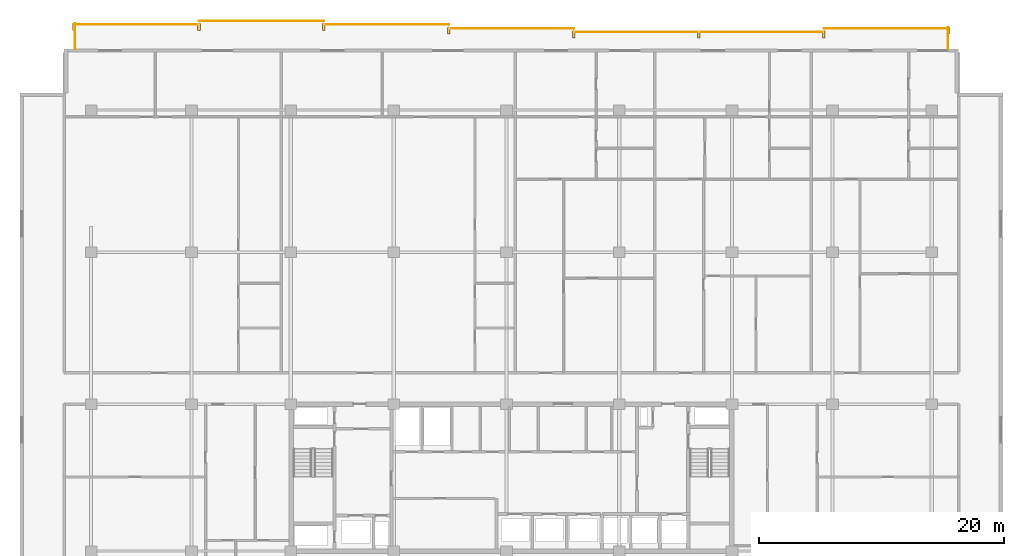
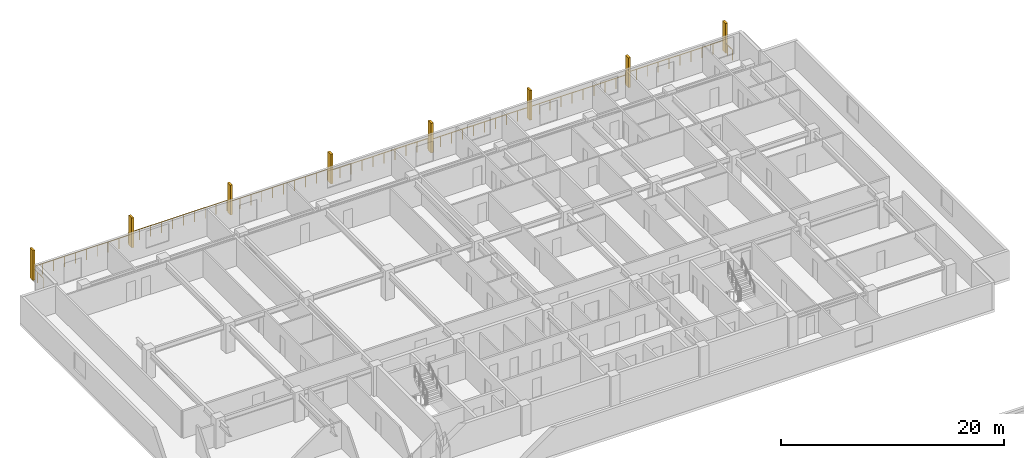
# One storey, part 22 of 22: 8 railings, 8 shading devices.
"""IFC4 building model written with IfcOpenShell, lengths in metres."""

from ifc_helpers import new_model, si_unit, direction, frame, origin, origin_2d, place, context, subcontext, project, spatial, rectangle, circle, extrude, material, type_object, element, save


model = new_model("IFC4")

# Units and contexts
model_context = context("Model", 3, precision=1e-05, world=origin(), true_north=direction((0.0, 1.0)))
body_context = subcontext(model_context, "Body", "Model", "MODEL_VIEW")
ifc_project = project(units=[si_unit("LENGTHUNIT", "METRE"), si_unit("AREAUNIT", "SQUARE_METRE"), si_unit("VOLUMEUNIT", "CUBIC_METRE"), si_unit("PLANEANGLEUNIT", "RADIAN"), si_unit("MASSUNIT", "GRAM", prefix="KILO")], contexts=[model_context])

# Site, building, storey
site_placement = place(None, origin())
site = spatial("IfcSite", under=ifc_project, at=site_placement, CompositionType="ELEMENT")
building_placement = place(site_placement, origin())
building = spatial("IfcBuilding", under=site, at=building_placement, Name="Korimba Cascade Residences", CompositionType="ELEMENT")
storey_placement = place(building_placement, frame((0.0, 0.0, 110.050048828125)))
storey = spatial("IfcBuildingStorey", under=building, at=storey_placement, Name="L31", CompositionType="ELEMENT", Elevation=110.050048828125)

# Railings
ifc_material_1 = material(Name="Laminated Glass and Bronze Balustrade", Category="glass")
railing_type = type_object("IfcRailingType", Name="RLG-LOG-1150", PredefinedType="BALUSTRADE", material=ifc_material_1)
railing_1_placement = place(storey_placement, frame((129.719970703125, 96.199951171875, 0.0)))
element("IfcRailing", 1, at=railing_1_placement, inside=storey, type_object=railing_type, Name="L31 Perimeter Guardrail RLG-L31-T1-LOG-01", PredefinedType="BALUSTRADE", context=body_context, shape_type="SweptSolid", body=[
    extrude(circle(Radius=0.02392578125, at=origin_2d()), frame((0.0, 0.0, 1.1259765625), z_axis=(0.0, 1.0, 0.0), x_axis=(-1.0, 0.0, 0.0)), (0.0, 0.0, 1.0), 1.75),
    extrude(circle(Radius=0.02099609375, at=origin_2d()), origin(), (0.0, 0.0, 1.0), 1.101806640625),
    extrude(circle(Radius=0.02099609375, at=origin_2d()), frame((0.0, 0.875, 0.0)), (0.0, 0.0, 1.0), 1.101806640625),
    extrude(circle(Radius=0.02099609375, at=origin_2d()), frame((0.0, 1.75, 0.0)), (0.0, 0.0, 1.0), 1.101806640625),
])
railing_2_placement = place(storey_placement, frame((129.800048828125, 97.8701171875, 0.0)))
element("IfcRailing", 2, at=railing_2_placement, inside=storey, type_object=railing_type, Name="L31 Perimeter Guardrail RLG-L31-T1-LOG-02", PredefinedType="BALUSTRADE", context=body_context, shape_type="SweptSolid", body=[
    extrude(circle(Radius=0.02392578125, at=origin_2d()), frame((0.0, 0.0, 1.1259765625), z_axis=(-1.0, 0.0, 0.0), x_axis=(0.0, -1.0, 0.0)), (0.0, 0.0, 1.0), 10.199951171875),
    extrude(circle(Radius=0.02099609375, at=origin_2d()), origin(), (0.0, 0.0, 1.0), 1.101806640625),
    extrude(circle(Radius=0.02099609375, at=origin_2d()), frame((-1.13330078125, 0.0, 0.0)), (0.0, 0.0, 1.0), 1.101806640625),
    extrude(circle(Radius=0.02099609375, at=origin_2d()), frame((-2.2666015625, 0.0, 0.0)), (0.0, 0.0, 1.0), 1.101806640625),
    extrude(circle(Radius=0.02099609375, at=origin_2d()), frame((-3.39990234375, 0.0, 0.0)), (0.0, 0.0, 1.0), 1.101806640625),
    extrude(circle(Radius=0.02099609375, at=origin_2d()), frame((-4.533203125, 0.0, 0.0)), (0.0, 0.0, 1.0), 1.101806640625),
    extrude(circle(Radius=0.02099609375, at=origin_2d()), frame((-5.666748046875, 0.0, 0.0)), (0.0, 0.0, 1.0), 1.101806640625),
    extrude(circle(Radius=0.02099609375, at=origin_2d()), frame((-6.800048828125, 0.0, 0.0)), (0.0, 0.0, 1.0), 1.101806640625),
    extrude(circle(Radius=0.02099609375, at=origin_2d()), frame((-7.933349609375, 0.0, 0.0)), (0.0, 0.0, 1.0), 1.101806640625),
    extrude(circle(Radius=0.02099609375, at=origin_2d()), frame((-9.066650390625, 0.0, 0.0)), (0.0, 0.0, 1.0), 1.101806640625),
    extrude(circle(Radius=0.02099609375, at=origin_2d()), frame((-10.199951171875, 0.0, 0.0)), (0.0, 0.0, 1.0), 1.101806640625),
])
railing_3_placement = place(storey_placement, frame((119.60009765625, 97.570068359375, 0.0)))
element("IfcRailing", 3, at=railing_3_placement, inside=storey, type_object=railing_type, Name="L31 Perimeter Guardrail RLG-L31-T1-LOG-03", PredefinedType="BALUSTRADE", context=body_context, shape_type="SweptSolid", body=[
    extrude(circle(Radius=0.02392578125, at=origin_2d()), frame((0.0, 0.0, 1.1259765625), z_axis=(-1.0, 0.0, 0.0), x_axis=(0.0, -1.0, 0.0)), (0.0, 0.0, 1.0), 20.400146484375),
    extrude(circle(Radius=0.02099609375, at=origin_2d()), origin(), (0.0, 0.0, 1.0), 1.101806640625),
    extrude(circle(Radius=0.02099609375, at=origin_2d()), frame((-1.13330078125, 0.0, 0.0)), (0.0, 0.0, 1.0), 1.101806640625),
    extrude(circle(Radius=0.02099609375, at=origin_2d()), frame((-2.2666015625, 0.0, 0.0)), (0.0, 0.0, 1.0), 1.101806640625),
    extrude(circle(Radius=0.02099609375, at=origin_2d()), frame((-3.39990234375, 0.0, 0.0)), (0.0, 0.0, 1.0), 1.101806640625),
    extrude(circle(Radius=0.02099609375, at=origin_2d()), frame((-4.533447265625, 0.0, 0.0)), (0.0, 0.0, 1.0), 1.101806640625),
    extrude(circle(Radius=0.02099609375, at=origin_2d()), frame((-5.666748046875, 0.0, 0.0)), (0.0, 0.0, 1.0), 1.101806640625),
    extrude(circle(Radius=0.02099609375, at=origin_2d()), frame((-6.800048828125, 0.0, 0.0)), (0.0, 0.0, 1.0), 1.101806640625),
    extrude(circle(Radius=0.02099609375, at=origin_2d()), frame((-7.933349609375, 0.0, 0.0)), (0.0, 0.0, 1.0), 1.101806640625),
    extrude(circle(Radius=0.02099609375, at=origin_2d()), frame((-9.066650390625, 0.0, 0.0)), (0.0, 0.0, 1.0), 1.101806640625),
    extrude(circle(Radius=0.02099609375, at=origin_2d()), frame((-10.2001953125, 0.0, 0.0)), (0.0, 0.0, 1.0), 1.101806640625),
    extrude(circle(Radius=0.02099609375, at=origin_2d()), frame((-11.33349609375, 0.0, 0.0)), (0.0, 0.0, 1.0), 1.101806640625),
    extrude(circle(Radius=0.02099609375, at=origin_2d()), frame((-12.466796875, 0.0, 0.0)), (0.0, 0.0, 1.0), 1.101806640625),
    extrude(circle(Radius=0.02099609375, at=origin_2d()), frame((-13.60009765625, 0.0, 0.0)), (0.0, 0.0, 1.0), 1.101806640625),
    extrude(circle(Radius=0.02099609375, at=origin_2d()), frame((-14.7333984375, 0.0, 0.0)), (0.0, 0.0, 1.0), 1.101806640625),
    extrude(circle(Radius=0.02099609375, at=origin_2d()), frame((-15.86669921875, 0.0, 0.0)), (0.0, 0.0, 1.0), 1.101806640625),
    extrude(circle(Radius=0.02099609375, at=origin_2d()), frame((-17.0, 0.0, 0.0)), (0.0, 0.0, 1.0), 1.101806640625),
    extrude(circle(Radius=0.02099609375, at=origin_2d()), frame((-18.133544921875, 0.0, 0.0)), (0.0, 0.0, 1.0), 1.101806640625),
    extrude(circle(Radius=0.02099609375, at=origin_2d()), frame((-19.266845703125, 0.0, 0.0)), (0.0, 0.0, 1.0), 1.101806640625),
    extrude(circle(Radius=0.02099609375, at=origin_2d()), frame((-20.400146484375, 0.0, 0.0)), (0.0, 0.0, 1.0), 1.101806640625),
])
for number, where, name in (
    (4, (99.199951171875, 97.8701171875, 0.0), "L31 Perimeter Guardrail RLG-L31-T1-LOG-04"),
    (5, (89.0, 98.169921875, 0.0), "L31 Perimeter Guardrail RLG-L31-T1-LOG-05"),
    (6, (78.800048828125, 98.469970703125, 0.0), "L31 Perimeter Guardrail RLG-L31-T1-LOG-06"),
):
    element("IfcRailing", number, at=place(storey_placement, frame(where)), inside=storey, type_object=railing_type, Name=name, PredefinedType="BALUSTRADE", context=body_context, shape_type="SweptSolid", body=[
        extrude(circle(Radius=0.02392578125, at=origin_2d()), frame((0.0, 0.0, 1.1259765625), z_axis=(-1.0, 0.0, 0.0), x_axis=(0.0, -1.0, 0.0)), (0.0, 0.0, 1.0), 10.199951171875),
        extrude(circle(Radius=0.02099609375, at=origin_2d()), origin(), (0.0, 0.0, 1.0), 1.101806640625),
        extrude(circle(Radius=0.02099609375, at=origin_2d()), frame((-1.13330078125, 0.0, 0.0)), (0.0, 0.0, 1.0), 1.101806640625),
        extrude(circle(Radius=0.02099609375, at=origin_2d()), frame((-2.2666015625, 0.0, 0.0)), (0.0, 0.0, 1.0), 1.101806640625),
        extrude(circle(Radius=0.02099609375, at=origin_2d()), frame((-3.39990234375, 0.0, 0.0)), (0.0, 0.0, 1.0), 1.101806640625),
        extrude(circle(Radius=0.02099609375, at=origin_2d()), frame((-4.533203125, 0.0, 0.0)), (0.0, 0.0, 1.0), 1.101806640625),
        extrude(circle(Radius=0.02099609375, at=origin_2d()), frame((-5.666748046875, 0.0, 0.0)), (0.0, 0.0, 1.0), 1.101806640625),
        extrude(circle(Radius=0.02099609375, at=origin_2d()), frame((-6.800048828125, 0.0, 0.0)), (0.0, 0.0, 1.0), 1.101806640625),
        extrude(circle(Radius=0.02099609375, at=origin_2d()), frame((-7.933349609375, 0.0, 0.0)), (0.0, 0.0, 1.0), 1.101806640625),
        extrude(circle(Radius=0.02099609375, at=origin_2d()), frame((-9.066650390625, 0.0, 0.0)), (0.0, 0.0, 1.0), 1.101806640625),
        extrude(circle(Radius=0.02099609375, at=origin_2d()), frame((-10.199951171875, 0.0, 0.0)), (0.0, 0.0, 1.0), 1.101806640625),
    ])
railing_4_placement = place(storey_placement, frame((68.60009765625, 98.169921875, 0.0)))
element("IfcRailing", 7, at=railing_4_placement, inside=storey, type_object=railing_type, Name="L31 Perimeter Guardrail RLG-L31-T1-LOG-07", PredefinedType="BALUSTRADE", context=body_context, shape_type="SweptSolid", body=[
    extrude(circle(Radius=0.02392578125, at=origin_2d()), frame((0.0, 0.0, 1.1259765625), z_axis=(-1.0, 0.0, 0.0), x_axis=(0.0, -1.0, 0.0)), (0.0, 0.0, 1.0), 10.2001953125),
    extrude(circle(Radius=0.02099609375, at=origin_2d()), origin(), (0.0, 0.0, 1.0), 1.101806640625),
    extrude(circle(Radius=0.02099609375, at=origin_2d()), frame((-1.13330078125, 0.0, 0.0)), (0.0, 0.0, 1.0), 1.101806640625),
    extrude(circle(Radius=0.02099609375, at=origin_2d()), frame((-2.2666015625, 0.0, 0.0)), (0.0, 0.0, 1.0), 1.101806640625),
    extrude(circle(Radius=0.02099609375, at=origin_2d()), frame((-3.400146484375, 0.0, 0.0)), (0.0, 0.0, 1.0), 1.101806640625),
    extrude(circle(Radius=0.02099609375, at=origin_2d()), frame((-4.533447265625, 0.0, 0.0)), (0.0, 0.0, 1.0), 1.101806640625),
    extrude(circle(Radius=0.02099609375, at=origin_2d()), frame((-5.666748046875, 0.0, 0.0)), (0.0, 0.0, 1.0), 1.101806640625),
    extrude(circle(Radius=0.02099609375, at=origin_2d()), frame((-6.800048828125, 0.0, 0.0)), (0.0, 0.0, 1.0), 1.101806640625),
    extrude(circle(Radius=0.02099609375, at=origin_2d()), frame((-7.93359375, 0.0, 0.0)), (0.0, 0.0, 1.0), 1.101806640625),
    extrude(circle(Radius=0.02099609375, at=origin_2d()), frame((-9.06689453125, 0.0, 0.0)), (0.0, 0.0, 1.0), 1.101806640625),
    extrude(circle(Radius=0.02099609375, at=origin_2d()), frame((-10.2001953125, 0.0, 0.0)), (0.0, 0.0, 1.0), 1.101806640625),
])
railing_5_placement = place(storey_placement, frame((58.47998046875, 98.25, 0.0)))
element("IfcRailing", 8, at=railing_5_placement, inside=storey, type_object=railing_type, Name="L31 Perimeter Guardrail RLG-L31-T1-LOG-08", PredefinedType="BALUSTRADE", context=body_context, shape_type="SweptSolid", body=[
    extrude(circle(Radius=0.02392578125, at=origin_2d()), frame((0.0, 0.0, 1.1259765625), z_axis=(0.0, -1.0, 0.0), x_axis=(1.0, 0.0, 0.0)), (0.0, 0.0, 1.0), 2.050048828125),
    extrude(circle(Radius=0.02099609375, at=origin_2d()), origin(), (0.0, 0.0, 1.0), 1.101806640625),
    extrude(circle(Radius=0.02099609375, at=origin_2d()), frame((0.0, -1.02490234375, 0.0)), (0.0, 0.0, 1.0), 1.101806640625),
    extrude(circle(Radius=0.02099609375, at=origin_2d()), frame((0.0, -2.050048828125, 0.0)), (0.0, 0.0, 1.0), 1.101806640625),
])

# Shading devices
ifc_material_2 = material(Name="Honed Sandstone Precast Fin", Category="masonry")
shading_device_type = type_object("IfcShadingDeviceType", Name="SHD-FIN-550", PredefinedType="USERDEFINED", material=ifc_material_2)
for number, where, z_axis, x_axis, name in (
    (9, (58.39990234375, 97.97509765625, 0.0), (0.0, 0.0, 1.0), (1.0, 0.0, 0.0), "L31 T1 Warm-Stone Loggia Fin 1"),
    (10, (68.60009765625, 97.97509765625, 0.0), (0.0, 0.0, 1.0), (1.0, 0.0, 0.0), "L31 T1 Warm-Stone Loggia Fin 2"),
    (11, (78.800048828125, 97.97509765625, 0.0), (0.0, 0.0, 1.0), (1.0, 0.0, 0.0), "L31 T1 Warm-Stone Loggia Fin 3"),
    (12, (89.0, 97.675048828125, 0.0), (0.0, 0.0, 1.0), (1.0, 0.0, 0.0), "L31 T1 Warm-Stone Loggia Fin 4"),
    (13, (99.199951171875, 97.375, 0.0), (0.0, 0.0, 1.0), (1.0, 0.0, 0.0), "L31 T1 Warm-Stone Loggia Fin 5"),
    (14, (109.39990234375, 97.375, 0.0), (0.0, 0.0, 1.0), (1.0, 0.0, 0.0), "L31 T1 Warm-Stone Loggia Fin 6"),
    (15, (119.60009765625, 97.375, 0.0), (0.0, 0.0, 1.0), (1.0, 0.0, 0.0), "L31 T1 Warm-Stone Loggia Fin 7"),
    (16, (129.800048828125, 97.675048828125, 0.0), (0.0, 0.0, 1.0), (1.0, 0.0, 0.0), "L31 T1 Warm-Stone Loggia Fin 8"),
):
    element("IfcShadingDevice", number, at=place(storey_placement, frame(where, z_axis=z_axis, x_axis=x_axis)), inside=storey, type_object=shading_device_type, Name=name, ObjectType="FIN", PredefinedType="USERDEFINED", context=body_context, shape_type="SweptSolid", body=[
        extrude(rectangle(XDim=0.219970703125, YDim=0.550048828125, at=origin_2d()), origin(), (0.0, 0.0, 1.0), 3.25),
    ])

save(model, "model.ifc")
